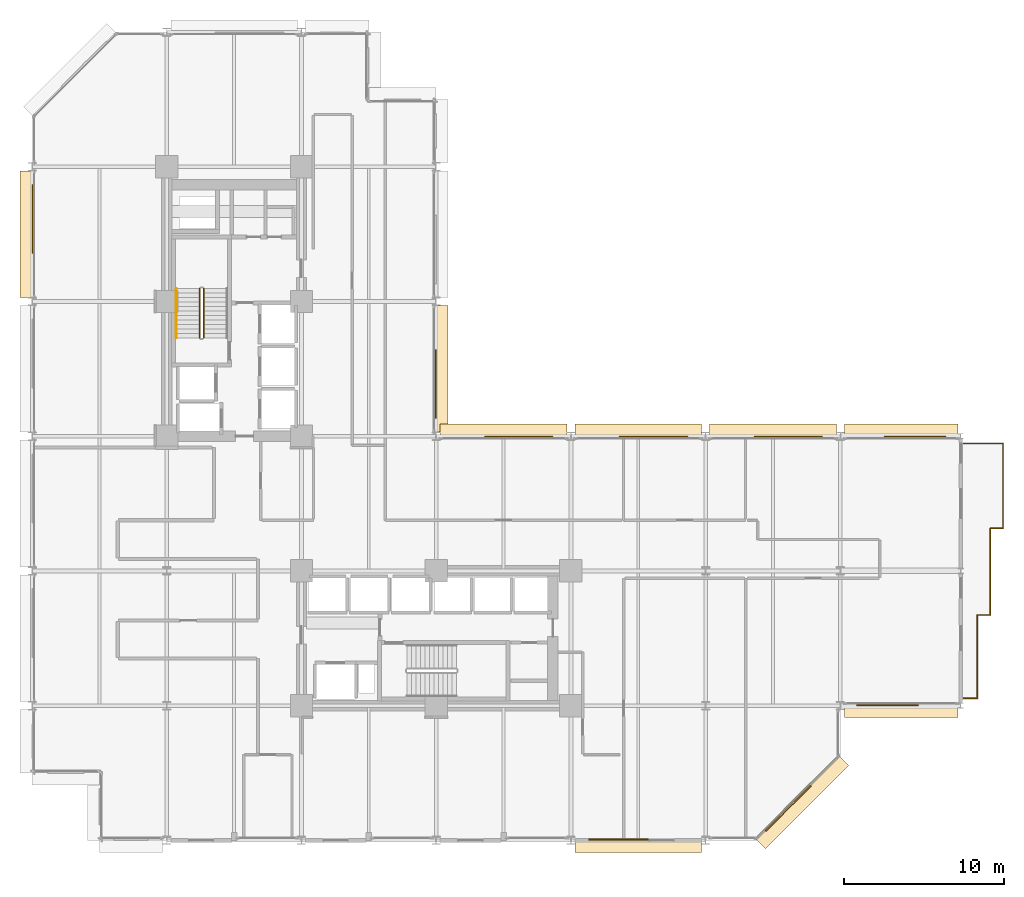
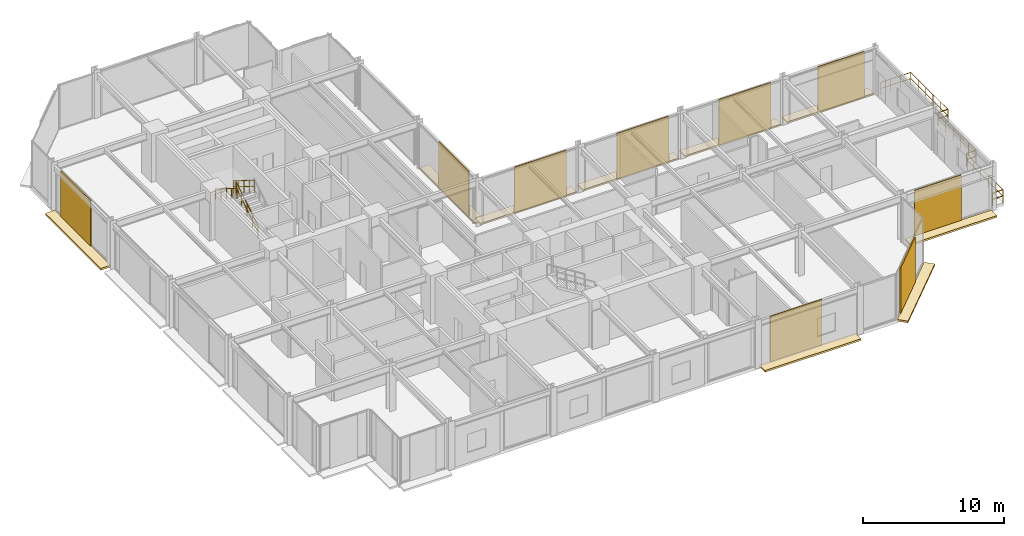
# One storey, part 26 of 27: 18 coverings, 10 railings.
"""IFC4 building model written with IfcOpenShell, lengths in metres."""

from ifc_helpers import new_model, si_unit, direction, frame, origin, origin_2d, place, context, subcontext, project, spatial, polyline, rectangle, circle, outline, extrude, material, layer, layer_set, type_object, element, save


model = new_model("IFC4")

# Units and contexts
model_context = context("Model", 3, precision=1e-05, world=origin(), true_north=direction((0.0, 1.0)))
body_context = subcontext(model_context, "Body", "Model", "MODEL_VIEW")
ifc_project = project(units=[si_unit("LENGTHUNIT", "METRE"), si_unit("AREAUNIT", "SQUARE_METRE"), si_unit("VOLUMEUNIT", "CUBIC_METRE"), si_unit("PLANEANGLEUNIT", "RADIAN"), si_unit("MASSUNIT", "GRAM", prefix="KILO")], contexts=[model_context])

# Site, building, storey
site_placement = place(None, origin())
site = spatial("IfcSite", under=ifc_project, at=site_placement, CompositionType="ELEMENT")
building_placement = place(site_placement, origin())
building = spatial("IfcBuilding", under=site, at=building_placement, Name="Nerrivon Quay Data Exchange", CompositionType="ELEMENT")
storey_placement = place(building_placement, frame((0.0, 0.0, 66.800048828125)))
storey = spatial("IfcBuildingStorey", under=building, at=storey_placement, Name="L15", CompositionType="ELEMENT", Elevation=66.800048828125)

# Coverings
ifc_material_1 = material(Name="Architectural terracotta ceramic", Category="masonry")
ifc_layer_1 = layer(ifc_material_1, 0.159912109375)
ifc_layer_set_1 = layer_set([ifc_layer_1], Name="Architectural terracotta ceramic")
covering_type_1 = type_object("IfcCoveringType", Name="COV-BLD-TERR", PredefinedType="CLADDING", material=ifc_layer_set_1)
covering_1_placement = place(storey_placement, frame((0.0, 0.0, -0.16015625)))
element("IfcCovering", 1, at=covering_1_placement, inside=storey, type_object=covering_type_1, Name="L15 Horizontal Terracotta SOLAR SCREEN Blade", PredefinedType="CLADDING", context=body_context, shape_type="SweptSolid", body=[
    extrude(outline(polyline([(57.744384765625, 8.43994140625), (50.64990234375, 8.43994140625), (50.64990234375, 7.64990234375), (57.744384765625, 7.64990234375), (57.744384765625, 8.43994140625)])), origin(), (0.0, 0.0, 1.0), 0.16015625),
])
covering_2_placement = place(storey_placement, frame((0.0, 0.0, -0.16015625)))
element("IfcCovering", 2, at=covering_2_placement, inside=storey, type_object=covering_type_1, Name="L15 Horizontal Terracotta SOLAR SCREEN Blade", PredefinedType="CLADDING", context=body_context, shape_type="SweptSolid", body=[
    extrude(outline(polyline([(50.37158203125, 5.228271484375), (45.171630859375, 0.0283203125), (45.730224609375, -0.5302734375), (50.930419921875, 4.669677734375), (50.37158203125, 5.228271484375)])), origin(), (0.0, 0.0, 1.0), 0.16015625),
])
covering_3_placement = place(storey_placement, frame((0.0, 0.0, -0.16015625)))
element("IfcCovering", 3, at=covering_3_placement, inside=storey, type_object=covering_type_1, Name="L15 Horizontal Terracotta SOLAR SCREEN Blade", PredefinedType="CLADDING", context=body_context, shape_type="SweptSolid", body=[
    extrude(outline(polyline([(41.75, 0.0400390625), (33.85009765625, 0.0400390625), (33.85009765625, -0.75), (41.75, -0.75), (41.75, 0.0400390625)])), origin(), (0.0, 0.0, 1.0), 0.16015625),
])
covering_4_placement = place(storey_placement, frame((0.0, 0.0, -0.16015625)))
element("IfcCovering", 4, at=covering_4_placement, inside=storey, type_object=covering_type_1, Name="L15 Horizontal Terracotta SOLAR SCREEN Blade", PredefinedType="CLADDING", context=body_context, shape_type="SweptSolid", body=[
    extrude(outline(polyline([(0.0400390625, 33.85009765625), (0.0400390625, 41.75), (-0.75, 41.75), (-0.75, 33.85009765625), (0.0400390625, 33.85009765625)])), origin(), (0.0, 0.0, 1.0), 0.16015625),
])
covering_5_placement = place(storey_placement, frame((0.0, 0.0, -0.16015625)))
element("IfcCovering", 5, at=covering_5_placement, inside=storey, type_object=covering_type_1, Name="L15 Horizontal Terracotta SOLAR SCREEN Blade", PredefinedType="CLADDING", context=body_context, shape_type="SweptSolid", body=[
    extrude(outline(polyline([(25.159912109375, 33.35009765625), (25.159912109375, 25.449951171875), (25.949951171875, 25.449951171875), (25.949951171875, 33.35009765625), (25.159912109375, 33.35009765625)])), origin(), (0.0, 0.0, 1.0), 0.16015625),
])
covering_6_placement = place(storey_placement, frame((0.0, 0.0, -0.16015625)))
element("IfcCovering", 6, at=covering_6_placement, inside=storey, type_object=covering_type_1, Name="L15 Horizontal Terracotta SOLAR SCREEN Blade", PredefinedType="CLADDING", context=body_context, shape_type="SweptSolid", body=[
    extrude(outline(polyline([(25.449951171875, 25.159912109375), (33.35009765625, 25.159912109375), (33.35009765625, 25.949951171875), (25.449951171875, 25.949951171875), (25.449951171875, 25.159912109375)])), origin(), (0.0, 0.0, 1.0), 0.16015625),
])
covering_7_placement = place(storey_placement, frame((0.0, 0.0, -0.16015625)))
element("IfcCovering", 7, at=covering_7_placement, inside=storey, type_object=covering_type_1, Name="L15 Horizontal Terracotta SOLAR SCREEN Blade", PredefinedType="CLADDING", context=body_context, shape_type="SweptSolid", body=[
    extrude(outline(polyline([(33.85009765625, 25.159912109375), (41.75, 25.159912109375), (41.75, 25.949951171875), (33.85009765625, 25.949951171875), (33.85009765625, 25.159912109375)])), origin(), (0.0, 0.0, 1.0), 0.16015625),
])
covering_8_placement = place(storey_placement, frame((0.0, 0.0, -0.16015625)))
element("IfcCovering", 8, at=covering_8_placement, inside=storey, type_object=covering_type_1, Name="L15 Horizontal Terracotta SOLAR SCREEN Blade", PredefinedType="CLADDING", context=body_context, shape_type="SweptSolid", body=[
    extrude(outline(polyline([(42.25, 25.159912109375), (50.14990234375, 25.159912109375), (50.14990234375, 25.949951171875), (42.25, 25.949951171875), (42.25, 25.159912109375)])), origin(), (0.0, 0.0, 1.0), 0.16015625),
])
covering_9_placement = place(storey_placement, frame((0.0, 0.0, -0.16015625)))
element("IfcCovering", 9, at=covering_9_placement, inside=storey, type_object=covering_type_1, Name="L15 Horizontal Terracotta SOLAR SCREEN Blade", PredefinedType="CLADDING", context=body_context, shape_type="SweptSolid", body=[
    extrude(outline(polyline([(50.64990234375, 25.159912109375), (57.744384765625, 25.159912109375), (57.744384765625, 25.949951171875), (50.64990234375, 25.949951171875), (50.64990234375, 25.159912109375)])), origin(), (0.0, 0.0, 1.0), 0.16015625),
])
ifc_layer_2 = layer(ifc_material_1, 0.090087890625)
ifc_layer_set_2 = layer_set([ifc_layer_2], Name="Architectural terracotta ceramic")
covering_type_2 = type_object("IfcCoveringType", Name="COV-SCR-TERR", PredefinedType="CLADDING", material=ifc_layer_set_2)
covering_10_placement = place(storey_placement, frame((53.345947265625, 8.445068359375, 0.0), z_axis=(0.0, 0.0, 1.0), x_axis=(-1.0, 0.0, 0.0)))
element("IfcCovering", 10, at=covering_10_placement, inside=storey, type_object=covering_type_2, Name="L15 Perforated Terracotta SOLAR SCREEN Cassette", PredefinedType="CLADDING", context=body_context, shape_type="SweptSolid", body=[
    extrude(rectangle(XDim=3.8310546875, YDim=0.090087890625, at=origin_2d()), origin(), (0.0, 0.0, 1.0), 3.925048828125),
])
covering_11_placement = place(storey_placement, frame((47.144287109375, 2.0078125, 0.0), z_axis=(0.0, 0.0, 1.0), x_axis=(-0.707106781187, -0.707106781187, 0.0)))
element("IfcCovering", 11, at=covering_11_placement, inside=storey, type_object=covering_type_2, Name="L15 Perforated Terracotta SOLAR SCREEN Cassette", PredefinedType="CLADDING", context=body_context, shape_type="SweptSolid", body=[
    extrude(rectangle(XDim=3.970947265625, YDim=0.090087890625, at=origin_2d()), origin(), (0.0, 0.0, 1.0), 3.925048828125),
])
for number, where, z_axis, x_axis, name in (
    (12, (36.85205078125, 0.044921875, 0.0), (0.0, 0.0, 1.0), (-1.0, 0.0, 0.0), "L15 Perforated Terracotta SOLAR SCREEN Cassette"),
    (13, (0.044921875, 38.748046875, 0.0), (0.0, 0.0, 1.0), (0.0, 1.0, 0.0), "L15 Perforated Terracotta SOLAR SCREEN Cassette"),
    (14, (25.155029296875, 28.451904296875, 0.0), (0.0, 0.0, 1.0), (0.0, -1.0, 0.0), "L15 Perforated Terracotta SOLAR SCREEN Cassette"),
    (15, (30.347900390625, 25.155029296875, 0.0), (0.0, 0.0, 1.0), (1.0, 0.0, 0.0), "L15 Perforated Terracotta SOLAR SCREEN Cassette"),
    (16, (38.748046875, 25.155029296875, 0.0), (0.0, 0.0, 1.0), (1.0, 0.0, 0.0), "L15 Perforated Terracotta SOLAR SCREEN Cassette"),
    (17, (47.14794921875, 25.155029296875, 0.0), (0.0, 0.0, 1.0), (1.0, 0.0, 0.0), "L15 Perforated Terracotta SOLAR SCREEN Cassette"),
):
    element("IfcCovering", number, at=place(storey_placement, frame(where, z_axis=z_axis, x_axis=x_axis)), inside=storey, type_object=covering_type_2, Name=name, PredefinedType="CLADDING", context=body_context, shape_type="SweptSolid", body=[
        extrude(rectangle(XDim=4.26611328125, YDim=0.090087890625, at=origin_2d()), origin(), (0.0, 0.0, 1.0), 3.925048828125),
    ])
covering_12_placement = place(storey_placement, frame((55.048583984375, 25.155029296875, 0.0), z_axis=(0.0, 0.0, 1.0), x_axis=(1.0, 0.0, 0.0)))
element("IfcCovering", 18, at=covering_12_placement, inside=storey, type_object=covering_type_2, Name="L15 Perforated Terracotta SOLAR SCREEN Cassette", PredefinedType="CLADDING", context=body_context, shape_type="SweptSolid", body=[
    extrude(rectangle(XDim=3.8310546875, YDim=0.090087890625, at=origin_2d()), origin(), (0.0, 0.0, 1.0), 3.925048828125),
])

# Railings
ifc_material_2 = material(Name="Steel Grade C350L0 (350 MPa)", Category="steel")
railing_type_1 = type_object("IfcRailingType", Name="RAIL-GUARD-GR2", PredefinedType="BALUSTRADE", material=ifc_material_2)
railing_1_placement = place(storey_placement, frame((58.93994140625, 14.06005859375, 0.0)))
element("IfcRailing", 19, at=railing_1_placement, inside=storey, type_object=railing_type_1, Name="L15 Verandah Balcony Guard 1.1 1", PredefinedType="BALUSTRADE", context=body_context, shape_type="SweptSolid", body=[
    extrude(circle(Radius=0.02392578125, at=origin_2d()), frame((0.0, 0.0, 1.09619140625), z_axis=(0.0, -1.0, 0.0), x_axis=(1.0, 0.0, 0.0)), (0.0, 0.0, 1.0), 5.199951171875),
    extrude(circle(Radius=0.02392578125, at=origin_2d()), frame((0.0, 0.0, 0.56005859375), z_axis=(0.0, -1.0, 0.0), x_axis=(1.0, 0.0, 0.0)), (0.0, 0.0, 1.0), 5.199951171875),
    extrude(circle(Radius=0.02099609375, at=origin_2d()), origin(), (0.0, 0.0, 1.0), 1.072021484375),
    extrude(circle(Radius=0.02099609375, at=origin_2d()), frame((0.0, -1.0400390625, 0.0)), (0.0, 0.0, 1.0), 1.072021484375),
    extrude(circle(Radius=0.02099609375, at=origin_2d()), frame((0.0, -2.080078125, 0.0)), (0.0, 0.0, 1.0), 1.072021484375),
    extrude(circle(Radius=0.02099609375, at=origin_2d()), frame((0.0, -3.119873046875, 0.0)), (0.0, 0.0, 1.0), 1.072021484375),
    extrude(circle(Radius=0.02099609375, at=origin_2d()), frame((0.0, -4.159912109375, 0.0)), (0.0, 0.0, 1.0), 1.072021484375),
    extrude(circle(Radius=0.02099609375, at=origin_2d()), frame((0.0, -5.199951171875, 0.0)), (0.0, 0.0, 1.0), 1.072021484375),
])
railing_2_placement = place(storey_placement, frame((58.93994140625, 8.860107421875, 0.0)))
element("IfcRailing", 20, at=railing_2_placement, inside=storey, type_object=railing_type_1, Name="L15 Verandah Balcony Guard 1.2 1", PredefinedType="BALUSTRADE", context=body_context, shape_type="SweptSolid", body=[
    extrude(circle(Radius=0.02392578125, at=origin_2d()), frame((0.0, 0.0, 1.09619140625), z_axis=(-1.0, 0.0, 0.0), x_axis=(0.0, -1.0, 0.0)), (0.0, 0.0, 1.0), 0.85986328125),
    extrude(circle(Radius=0.02392578125, at=origin_2d()), frame((0.0, 0.0, 0.56005859375), z_axis=(-1.0, 0.0, 0.0), x_axis=(0.0, -1.0, 0.0)), (0.0, 0.0, 1.0), 0.85986328125),
    extrude(circle(Radius=0.02099609375, at=origin_2d()), origin(), (0.0, 0.0, 1.0), 1.072021484375),
    extrude(circle(Radius=0.02099609375, at=origin_2d()), frame((-0.85986328125, 0.0, 0.0)), (0.0, 0.0, 1.0), 1.072021484375),
])
railing_3_placement = place(storey_placement, frame((58.080078125, 24.739990234375, 0.0)))
element("IfcRailing", 21, at=railing_3_placement, inside=storey, type_object=railing_type_1, Name="L15 Verandah Balcony Guard 1.3 1", PredefinedType="BALUSTRADE", context=body_context, shape_type="SweptSolid", body=[
    extrude(circle(Radius=0.02392578125, at=origin_2d()), frame((0.0, 0.0, 1.09619140625), z_axis=(1.0, 0.0, 0.0), x_axis=(0.0, 1.0, 0.0)), (0.0, 0.0, 1.0), 2.4599609375),
    extrude(circle(Radius=0.02392578125, at=origin_2d()), frame((0.0, 0.0, 0.56005859375), z_axis=(1.0, 0.0, 0.0), x_axis=(0.0, 1.0, 0.0)), (0.0, 0.0, 1.0), 2.4599609375),
    extrude(circle(Radius=0.02099609375, at=origin_2d()), origin(), (0.0, 0.0, 1.0), 1.072021484375),
    extrude(circle(Radius=0.02099609375, at=origin_2d()), frame((0.820068359375, 0.0, 0.0)), (0.0, 0.0, 1.0), 1.072021484375),
    extrude(circle(Radius=0.02099609375, at=origin_2d()), frame((1.639892578125, 0.0, 0.0)), (0.0, 0.0, 1.0), 1.072021484375),
    extrude(circle(Radius=0.02099609375, at=origin_2d()), frame((2.4599609375, 0.0, 0.0)), (0.0, 0.0, 1.0), 1.072021484375),
])
railing_4_placement = place(storey_placement, frame((60.5400390625, 24.739990234375, 0.0)))
element("IfcRailing", 22, at=railing_4_placement, inside=storey, type_object=railing_type_1, Name="L15 Verandah Balcony Guard 1.4 1", PredefinedType="BALUSTRADE", context=body_context, shape_type="SweptSolid", body=[
    extrude(circle(Radius=0.02392578125, at=origin_2d()), frame((0.0, 0.0, 1.09619140625), z_axis=(0.0, -1.0, 0.0), x_axis=(1.0, 0.0, 0.0)), (0.0, 0.0, 1.0), 5.280029296875),
    extrude(circle(Radius=0.02392578125, at=origin_2d()), frame((0.0, 0.0, 0.56005859375), z_axis=(0.0, -1.0, 0.0), x_axis=(1.0, 0.0, 0.0)), (0.0, 0.0, 1.0), 5.280029296875),
    extrude(circle(Radius=0.02099609375, at=origin_2d()), origin(), (0.0, 0.0, 1.0), 1.072021484375),
    extrude(circle(Radius=0.02099609375, at=origin_2d()), frame((0.0, -1.055908203125, 0.0)), (0.0, 0.0, 1.0), 1.072021484375),
    extrude(circle(Radius=0.02099609375, at=origin_2d()), frame((0.0, -2.112060546875, 0.0)), (0.0, 0.0, 1.0), 1.072021484375),
    extrude(circle(Radius=0.02099609375, at=origin_2d()), frame((0.0, -3.16796875, 0.0)), (0.0, 0.0, 1.0), 1.072021484375),
    extrude(circle(Radius=0.02099609375, at=origin_2d()), frame((0.0, -4.22412109375, 0.0)), (0.0, 0.0, 1.0), 1.072021484375),
    extrude(circle(Radius=0.02099609375, at=origin_2d()), frame((0.0, -5.280029296875, 0.0)), (0.0, 0.0, 1.0), 1.072021484375),
])
railing_5_placement = place(storey_placement, frame((60.5400390625, 19.4599609375, 0.0)))
element("IfcRailing", 23, at=railing_5_placement, inside=storey, type_object=railing_type_1, Name="L15 Verandah Balcony Guard 1.5 1", PredefinedType="BALUSTRADE", context=body_context, shape_type="SweptSolid", body=[
    extrude(circle(Radius=0.02392578125, at=origin_2d()), frame((0.0, 0.0, 1.09619140625), z_axis=(-1.0, 0.0, 0.0), x_axis=(0.0, -1.0, 0.0)), (0.0, 0.0, 1.0), 0.800048828125),
    extrude(circle(Radius=0.02392578125, at=origin_2d()), frame((0.0, 0.0, 0.56005859375), z_axis=(-1.0, 0.0, 0.0), x_axis=(0.0, -1.0, 0.0)), (0.0, 0.0, 1.0), 0.800048828125),
    extrude(circle(Radius=0.02099609375, at=origin_2d()), origin(), (0.0, 0.0, 1.0), 1.072021484375),
    extrude(circle(Radius=0.02099609375, at=origin_2d()), frame((-0.800048828125, 0.0, 0.0)), (0.0, 0.0, 1.0), 1.072021484375),
])
railing_6_placement = place(storey_placement, frame((59.739990234375, 19.4599609375, 0.0)))
element("IfcRailing", 24, at=railing_6_placement, inside=storey, type_object=railing_type_1, Name="L15 Verandah Balcony Guard 1.6 1", PredefinedType="BALUSTRADE", context=body_context, shape_type="SweptSolid", body=[
    extrude(circle(Radius=0.02392578125, at=origin_2d()), frame((0.0, 0.0, 1.09619140625), z_axis=(0.0, -1.0, 0.0), x_axis=(1.0, 0.0, 0.0)), (0.0, 0.0, 1.0), 5.39990234375),
    extrude(circle(Radius=0.02392578125, at=origin_2d()), frame((0.0, 0.0, 0.56005859375), z_axis=(0.0, -1.0, 0.0), x_axis=(1.0, 0.0, 0.0)), (0.0, 0.0, 1.0), 5.39990234375),
    extrude(circle(Radius=0.02099609375, at=origin_2d()), origin(), (0.0, 0.0, 1.0), 1.072021484375),
    extrude(circle(Radius=0.02099609375, at=origin_2d()), frame((0.0, -1.080078125, 0.0)), (0.0, 0.0, 1.0), 1.072021484375),
    extrude(circle(Radius=0.02099609375, at=origin_2d()), frame((0.0, -2.159912109375, 0.0)), (0.0, 0.0, 1.0), 1.072021484375),
    extrude(circle(Radius=0.02099609375, at=origin_2d()), frame((0.0, -3.239990234375, 0.0)), (0.0, 0.0, 1.0), 1.072021484375),
    extrude(circle(Radius=0.02099609375, at=origin_2d()), frame((0.0, -4.31982421875, 0.0)), (0.0, 0.0, 1.0), 1.072021484375),
    extrude(circle(Radius=0.02099609375, at=origin_2d()), frame((0.0, -5.39990234375, 0.0)), (0.0, 0.0, 1.0), 1.072021484375),
])
railing_7_placement = place(storey_placement, frame((59.739990234375, 14.06005859375, 0.0)))
element("IfcRailing", 25, at=railing_7_placement, inside=storey, type_object=railing_type_1, Name="L15 Verandah Balcony Guard 1.7 1", PredefinedType="BALUSTRADE", context=body_context, shape_type="SweptSolid", body=[
    extrude(circle(Radius=0.02392578125, at=origin_2d()), frame((0.0, 0.0, 1.09619140625), z_axis=(-1.0, 0.0, 0.0), x_axis=(0.0, -1.0, 0.0)), (0.0, 0.0, 1.0), 0.800048828125),
    extrude(circle(Radius=0.02392578125, at=origin_2d()), frame((0.0, 0.0, 0.56005859375), z_axis=(-1.0, 0.0, 0.0), x_axis=(0.0, -1.0, 0.0)), (0.0, 0.0, 1.0), 0.800048828125),
    extrude(circle(Radius=0.02099609375, at=origin_2d()), origin(), (0.0, 0.0, 1.0), 1.072021484375),
    extrude(circle(Radius=0.02099609375, at=origin_2d()), frame((-0.800048828125, 0.0, 0.0)), (0.0, 0.0, 1.0), 1.072021484375),
])
railing_type_2 = type_object("IfcRailingType", Name="RAIL-HAND-HR1", PredefinedType="HANDRAIL", material=ifc_material_2)
railing_8_placement = place(storey_placement, frame((9.0, 34.409912109375, 2.27490234375)))
element("IfcRailing", 26, at=railing_8_placement, inside=storey, type_object=railing_type_2, Name="L15 ST01 stair handrail 2", PredefinedType="HANDRAIL", context=body_context, shape_type="SweptSolid", body=[
    extrude(circle(Radius=0.02392578125, at=origin_2d()), frame((0.0, 0.0, 0.8759765625), z_axis=(0.0, -0.847979421464, 0.530029150871), x_axis=(1.0, 0.0, 0.0)), (0.0, 0.0, 1.0), 3.632080078125),
    extrude(circle(Radius=0.02099609375, at=origin_2d()), origin(), (0.0, 0.0, 1.0), 0.851806640625),
    extrude(circle(Radius=0.02099609375, at=origin_2d()), frame((0.0, -0.77001953125, 0.481201171875)), (0.0, 0.0, 1.0), 0.851806640625),
    extrude(circle(Radius=0.02099609375, at=origin_2d()), frame((0.0, -1.5400390625, 0.96240234375)), (0.0, 0.0, 1.0), 0.851806640625),
    extrude(circle(Radius=0.02099609375, at=origin_2d()), frame((0.0, -2.309814453125, 1.44384765625)), (0.0, 0.0, 1.0), 0.851806640625),
    extrude(circle(Radius=0.02099609375, at=origin_2d()), frame((0.0, -3.079833984375, 1.925048828125)), (0.0, 0.0, 1.0), 0.851806640625),
])
railing_type_3 = type_object("IfcRailingType", Name="RAIL-STAIR-GR1", PredefinedType="BALUSTRADE", material=ifc_material_2)
railing_9_placement = place(storey_placement, frame((10.699951171875, 31.330078125, 0.175048828125)))
element("IfcRailing", 27, at=railing_9_placement, inside=storey, type_object=railing_type_3, Name="L15 ST01 stair guard 1", PredefinedType="BALUSTRADE", context=body_context, shape_type="SweptSolid", body=[
    extrude(circle(Radius=0.02392578125, at=origin_2d()), frame((0.0, 0.0, 1.076171875), z_axis=(0.0, 0.848009633417, 0.529980812513), x_axis=(-1.0, 0.0, 0.0)), (0.0, 0.0, 1.0), 3.6318359375),
    extrude(circle(Radius=0.02392578125, at=origin_2d()), frame((0.0, 0.0, 0.550048828125), z_axis=(0.0, 0.848009633417, 0.529980812513), x_axis=(-1.0, 0.0, 0.0)), (0.0, 0.0, 1.0), 3.6318359375),
    extrude(circle(Radius=0.02099609375, at=origin_2d()), origin(), (0.0, 0.0, 1.0), 1.052001953125),
    extrude(circle(Radius=0.02099609375, at=origin_2d()), frame((0.0, 0.77001953125, 0.481201171875)), (0.0, 0.0, 1.0), 1.052001953125),
    extrude(circle(Radius=0.02099609375, at=origin_2d()), frame((0.0, 1.5400390625, 0.96240234375)), (0.0, 0.0, 1.0), 1.052001953125),
    extrude(circle(Radius=0.02099609375, at=origin_2d()), frame((0.0, 2.309814453125, 1.443603515625)), (0.0, 0.0, 1.0), 1.052001953125),
    extrude(circle(Radius=0.02099609375, at=origin_2d()), frame((0.0, 3.079833984375, 1.9248046875)), (0.0, 0.0, 1.0), 1.052001953125),
])
railing_10_placement = place(storey_placement, frame((10.449951171875, 34.409912109375, 2.27490234375)))
element("IfcRailing", 28, at=railing_10_placement, inside=storey, type_object=railing_type_3, Name="L15 ST01 stair guard 3", PredefinedType="BALUSTRADE", context=body_context, shape_type="SweptSolid", body=[
    extrude(circle(Radius=0.02392578125, at=origin_2d()), frame((0.0, 0.0, 1.076171875), z_axis=(0.0, -0.847979421464, 0.530029150871), x_axis=(1.0, 0.0, 0.0)), (0.0, 0.0, 1.0), 3.632080078125),
    extrude(circle(Radius=0.02392578125, at=origin_2d()), frame((0.0, 0.0, 0.550048828125), z_axis=(0.0, -0.847979421464, 0.530029150871), x_axis=(1.0, 0.0, 0.0)), (0.0, 0.0, 1.0), 3.632080078125),
    extrude(circle(Radius=0.02099609375, at=origin_2d()), origin(), (0.0, 0.0, 1.0), 1.052001953125),
    extrude(circle(Radius=0.02099609375, at=origin_2d()), frame((0.0, -0.77001953125, 0.481201171875)), (0.0, 0.0, 1.0), 1.052001953125),
    extrude(circle(Radius=0.02099609375, at=origin_2d()), frame((0.0, -1.5400390625, 0.96240234375)), (0.0, 0.0, 1.0), 1.052001953125),
    extrude(circle(Radius=0.02099609375, at=origin_2d()), frame((0.0, -2.309814453125, 1.44384765625)), (0.0, 0.0, 1.0), 1.052001953125),
    extrude(circle(Radius=0.02099609375, at=origin_2d()), frame((0.0, -3.079833984375, 1.925048828125)), (0.0, 0.0, 1.0), 1.052001953125),
])

save(model, "model.ifc")
